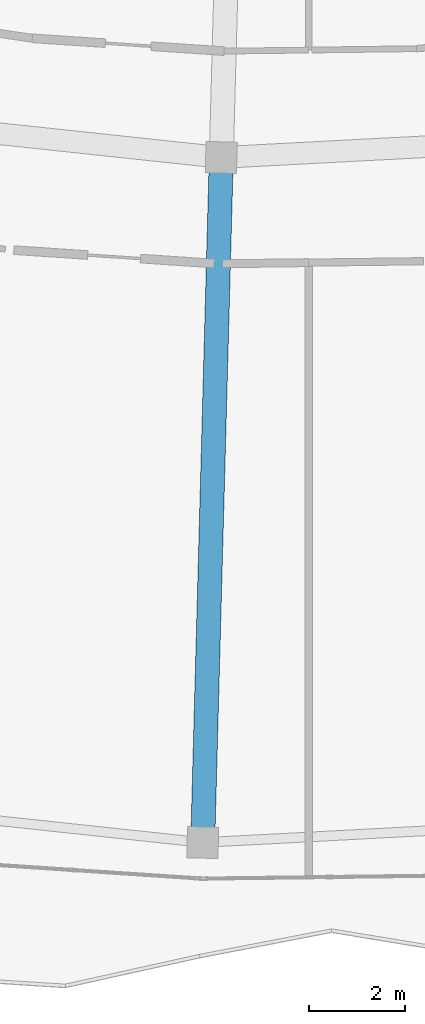
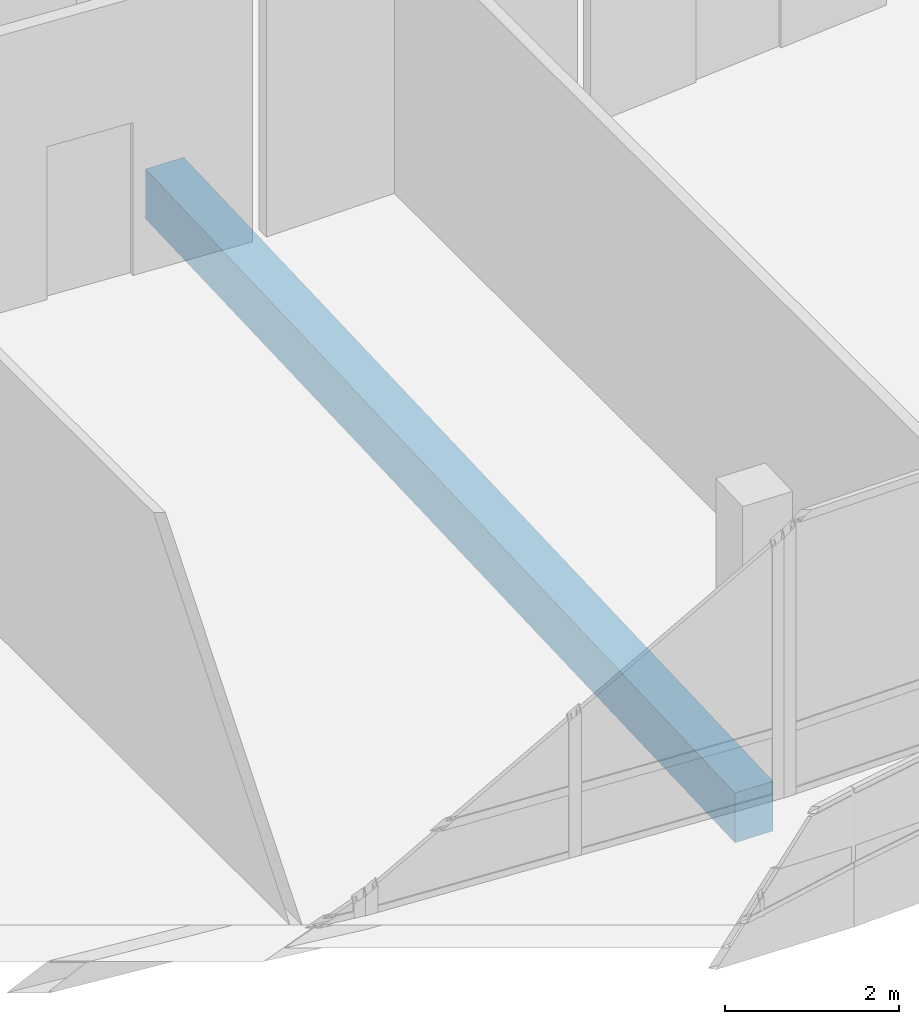
# One storey, part 21 of 184: 1 beam.
"""IFC4 building model written with IfcOpenShell, lengths in metres."""

from ifc_helpers import new_model, si_unit, direction, frame, origin, origin_2d, place, context, subcontext, project, spatial, rectangle, extrude, material, material_profile, profile_set, type_object, element, save


model = new_model("IFC4")

# Units and contexts
model_context = context("Model", 3, precision=1e-05, world=origin(), true_north=direction((0.0, 1.0)))
body_context = subcontext(model_context, "Body", "Model", "MODEL_VIEW")
ifc_project = project(units=[si_unit("LENGTHUNIT", "METRE"), si_unit("AREAUNIT", "SQUARE_METRE"), si_unit("VOLUMEUNIT", "CUBIC_METRE"), si_unit("PLANEANGLEUNIT", "RADIAN"), si_unit("MASSUNIT", "GRAM", prefix="KILO")], contexts=[model_context])

# Site, building, storey
site_placement = place(None, origin())
site = spatial("IfcSite", under=ifc_project, at=site_placement, CompositionType="ELEMENT")
building_placement = place(site_placement, origin())
building = spatial("IfcBuilding", under=site, at=building_placement, Name="Selatvlak General Hospital", CompositionType="ELEMENT")
storey_placement = place(building_placement, frame((0.0, 0.0, 15.0)))
storey = spatial("IfcBuildingStorey", under=building, at=storey_placement, Name="L03", CompositionType="ELEMENT", Elevation=15.0)

# Beam
ifc_material = material(Name="Concrete C40/50", Category="concrete")
ifc_material_profile = material_profile(ifc_material, rectangle(XDim=0.5, YDim=0.699951171875, at=origin_2d()), Name="RC-BM 500x700")
ifc_profile_set = profile_set([ifc_material_profile], Name="Concrete C40/50")
beam_type = type_object("IfcBeamType", Name="BM-G03", PredefinedType="BEAM", material=ifc_profile_set)
beam_placement = place(storey_placement, frame((54.58203125, 27.01904296875, -0.68994140625), z_axis=(-0.027087958629, -0.999633053924, 0.0), x_axis=(0.999633053924, -0.027087958629, 0.0)))
element("IfcBeam", 1, at=beam_placement, inside=storey, type_object=beam_type, Name="Beam BMR-L03-1464", PredefinedType="BEAM", context=body_context, shape_type="SweptSolid", body=[
    extrude(rectangle(XDim=0.5, YDim=0.699951171875, at=origin_2d()), origin(), (0.0, 0.0, 1.0), 14.249267578125),
])

save(model, "model.ifc")
